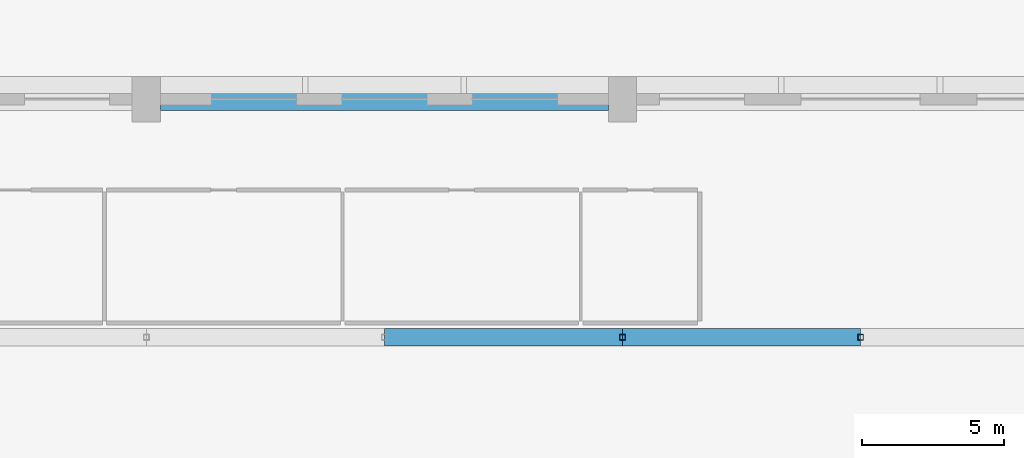
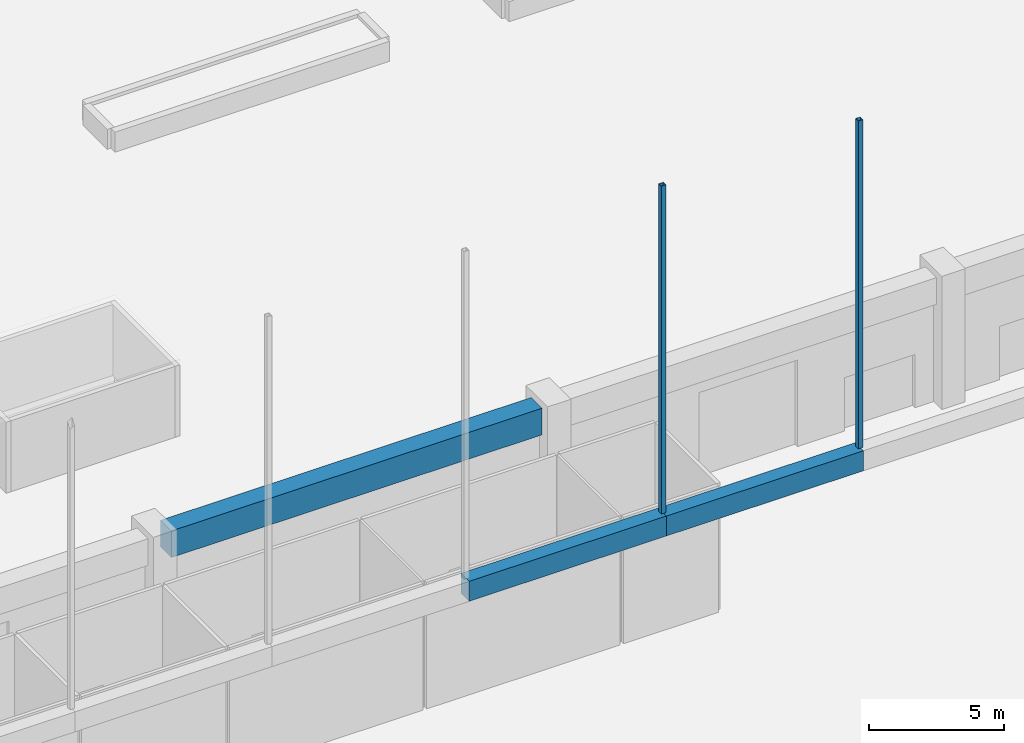
# One storey, part 61 of 210: 3 beams, 2 members.
"""IFC4 building model written with IfcOpenShell, lengths in metres."""

from ifc_helpers import new_model, si_unit, direction, frame, origin, origin_2d, place, context, subcontext, project, spatial, rectangle, hollow_rectangle, extrude, material, material_profile, profile_set, type_object, element, save


model = new_model("IFC4")

# Units and contexts
model_context = context("Model", 3, precision=1e-05, world=origin(), true_north=direction((0.0, 1.0)))
body_context = subcontext(model_context, "Body", "Model", "MODEL_VIEW")
ifc_project = project(units=[si_unit("LENGTHUNIT", "METRE"), si_unit("AREAUNIT", "SQUARE_METRE"), si_unit("VOLUMEUNIT", "CUBIC_METRE"), si_unit("PLANEANGLEUNIT", "RADIAN"), si_unit("MASSUNIT", "GRAM", prefix="KILO")], contexts=[model_context])

# Site, building, storey
site_placement = place(None, origin())
site = spatial("IfcSite", under=ifc_project, at=site_placement, CompositionType="ELEMENT")
building_placement = place(site_placement, origin())
building = spatial("IfcBuilding", under=site, at=building_placement, Name="Rain Tree Exposition and Congress Centre", CompositionType="ELEMENT")
storey_placement = place(building_placement, origin())
storey = spatial("IfcBuildingStorey", under=building, at=storey_placement, Name="L00", CompositionType="ELEMENT", Elevation=0.0)

# Beams
ifc_material_1 = material(Name="Precast concrete C50/60", Category="concrete")
ifc_material_profile_1 = material_profile(ifc_material_1, rectangle(XDim=0.60009765625, YDim=0.89990234375, at=origin_2d()), Name="RC 600x900")
ifc_profile_set_1 = profile_set([ifc_material_profile_1], Name="Precast concrete C50/60")
beam_type_1 = type_object("IfcBeamType", Name="Precast beam 600x900", PredefinedType="BEAM", material=ifc_profile_set_1)
beam_1_placement = place(storey_placement, frame((50.39990234375, 193.199951171875, 5.25), z_axis=(1.0, 0.0, 0.0), x_axis=(0.0, 1.0, 0.0)))
element("IfcBeam", 1, at=beam_1_placement, inside=storey, type_object=beam_type_1, Name="Gallery edge beam 28", PredefinedType="BEAM", context=body_context, shape_type="SweptSolid", body=[
    extrude(rectangle(XDim=0.60009765625, YDim=0.89990234375, at=origin_2d()), origin(), (0.0, 0.0, 1.0), 8.400146484375),
])
beam_2_placement = place(storey_placement, frame((58.800048828125, 193.199951171875, 5.25), z_axis=(1.0, 0.0, 0.0), x_axis=(0.0, 1.0, 0.0)))
element("IfcBeam", 2, at=beam_2_placement, inside=storey, type_object=beam_type_1, Name="Gallery edge beam 29", PredefinedType="BEAM", context=body_context, shape_type="SweptSolid", body=[
    extrude(rectangle(XDim=0.60009765625, YDim=0.89990234375, at=origin_2d()), origin(), (0.0, 0.0, 1.0), 8.39990234375),
])
ifc_material_2 = material(Name="Precast concrete C50/60", Category="concrete")
ifc_material_profile_2 = material_profile(ifc_material_2, rectangle(XDim=0.800048828125, YDim=1.199951171875, at=origin_2d()), Name="RC 800x1200")
ifc_profile_set_2 = profile_set([ifc_material_profile_2], Name="Precast concrete C50/60")
beam_type_2 = type_object("IfcBeamType", Name="Precast beam 800x1200", PredefinedType="BEAM", material=ifc_profile_set_2)
beam_3_placement = place(storey_placement, frame((42.5, 201.60009765625, 5.10009765625), z_axis=(1.0, 0.0, 0.0), x_axis=(0.0, 1.0, 0.0)))
element("IfcBeam", 3, at=beam_3_placement, inside=storey, type_object=beam_type_2, Name="Gallery perimeter beam 10", PredefinedType="BEAM", context=body_context, shape_type="SweptSolid", body=[
    extrude(rectangle(XDim=0.800048828125, YDim=1.199951171875, at=origin_2d()), origin(), (0.0, 0.0, 1.0), 15.800048828125),
])

# Members
ifc_material_3 = material(Name="Steel S355J2H", Category="steel")
ifc_material_profile_3 = material_profile(ifc_material_3, hollow_rectangle(XDim=0.199951171875, YDim=0.199951171875, WallThickness=0.009033203125, at=origin_2d()), Name="RHS 200x200x9")
ifc_profile_set_3 = profile_set([ifc_material_profile_3], Name="Steel S355J2H")
member_type = type_object("IfcMemberType", Name="Steel member member RHS 200x200x9", PredefinedType="MEMBER", material=ifc_profile_set_3)
for number, where, z_axis, x_axis, name in (
    (4, (58.800048828125, 193.199951171875, 5.699951171875), (0.0, 0.0, 1.0), (1.0, 0.0, 0.0), "Gallery hanger 40"),
    (5, (67.199951171875, 193.199951171875, 5.699951171875), (0.0, 0.0, 1.0), (1.0, 0.0, 0.0), "Gallery hanger 41"),
):
    element("IfcMember", number, at=place(storey_placement, frame(where, z_axis=z_axis, x_axis=x_axis)), inside=storey, type_object=member_type, Name=name, PredefinedType="MEMBER", context=body_context, shape_type="SweptSolid", body=[
        extrude(hollow_rectangle(XDim=0.199951171875, YDim=0.199951171875, WallThickness=0.009033203125, at=origin_2d()), origin(), (0.0, 0.0, 1.0), 14.766845703125),
    ])

save(model, "model.ifc")
